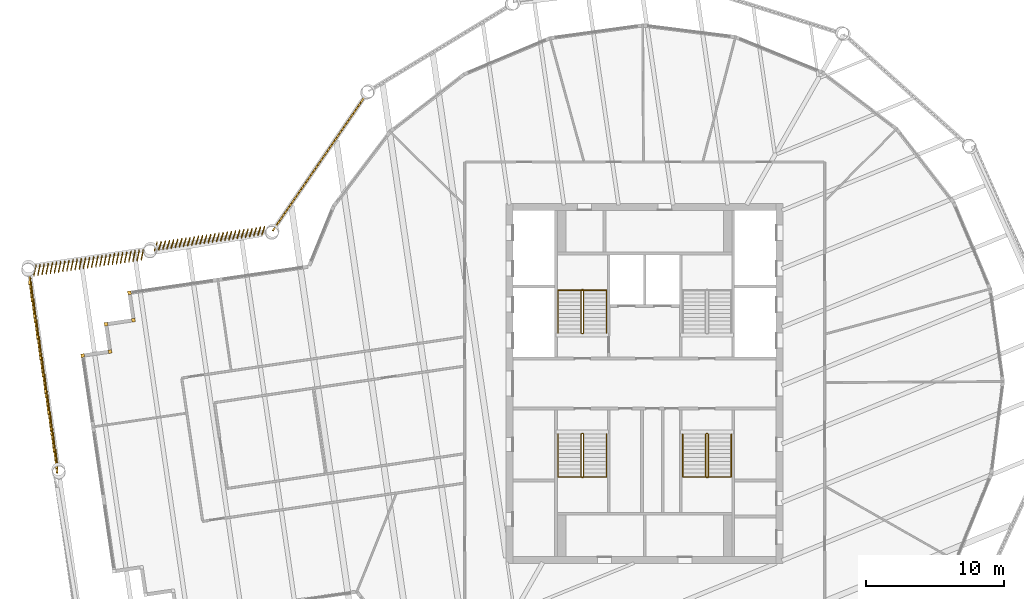
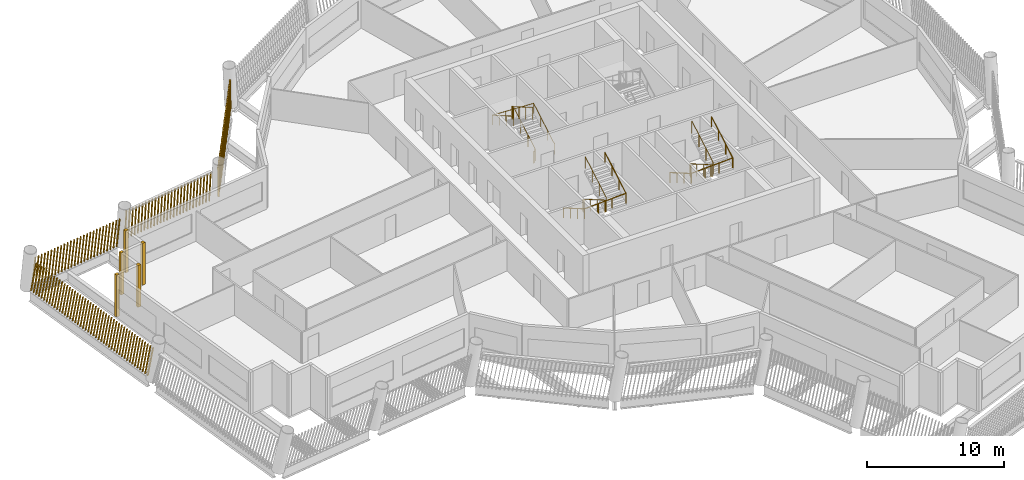
# One storey, part 12 of 15: 9 shading devices, 6 railings.
"""IFC4 building model written with IfcOpenShell, lengths in metres."""

from ifc_helpers import new_model, si_unit, direction, frame, frame_2d, origin, origin_2d, place, context, subcontext, project, spatial, rectangle, circle, composite_profile, extrude, material, type_object, element, save


model = new_model("IFC4")

# Units and contexts
model_context = context("Model", 3, precision=1e-05, world=origin(), true_north=direction((0.0, 1.0)))
body_context = subcontext(model_context, "Body", "Model", "MODEL_VIEW")
ifc_project = project(units=[si_unit("LENGTHUNIT", "METRE"), si_unit("AREAUNIT", "SQUARE_METRE"), si_unit("VOLUMEUNIT", "CUBIC_METRE"), si_unit("PLANEANGLEUNIT", "RADIAN"), si_unit("MASSUNIT", "GRAM", prefix="KILO")], contexts=[model_context])

# Site, building, storey
site_placement = place(None, origin())
site = spatial("IfcSite", under=ifc_project, at=site_placement, CompositionType="ELEMENT")
building_placement = place(site_placement, origin())
building = spatial("IfcBuilding", under=site, at=building_placement, Name="Tarsis Ring Headquarters", CompositionType="ELEMENT")
storey_placement = place(building_placement, frame((0.0, 0.0, 319.699951171875)))
storey = spatial("IfcBuildingStorey", under=building, at=storey_placement, Name="L75", CompositionType="ELEMENT", Elevation=319.699951171875)

# Railings
ifc_material_1 = material(Name="Steel S355", Category="steel")
railing_type_1 = type_object("IfcRailingType", Name="Core stair guard 1100", PredefinedType="GUARDRAIL", material=ifc_material_1)
railing_1_placement = place(storey_placement, frame((-4.5400390625, 3.610107421875, 0.0)))
element("IfcRailing", 1, at=railing_1_placement, inside=storey, type_object=railing_type_1, Name="L75 ST1 stair guard 1", PredefinedType="GUARDRAIL", context=body_context, shape_type="SweptSolid", body=[
    extrude(circle(Radius=0.02392578125, at=origin_2d()), frame((0.0, 0.0, 1.076171875), z_axis=(1.0, 0.0, 0.0), x_axis=(0.0, 1.0, 0.0)), (0.0, 0.0, 1.0), 0.080078125),
    extrude(circle(Radius=0.02392578125, at=origin_2d()), frame((0.080078125, 0.0, 1.076171875), z_axis=(0.282336740067, 0.280959487676, 0.917250092119), x_axis=(-0.705375805398, 0.708833529934, 0.0)), (0.0, 0.0, 1.0), 0.17724609375),
    extrude(circle(Radius=0.02392578125, at=origin_2d()), frame((0.130126953125, 0.0498046875, 1.23876953125), z_axis=(0.0, 0.864920483161, 0.501908913857), x_axis=(-1.0, 0.0, 0.0)), (0.0, 0.0, 1.0), 3.56103515625),
    extrude(circle(Radius=0.02392578125, at=origin_2d()), frame((0.130126953125, 3.1298828125, 3.02587890625), z_axis=(-0.707106781187, 0.707106781187, 0.0), x_axis=(-0.707106781187, -0.707106781187, 0.0)), (0.0, 0.0, 1.0), 0.07080078125),
    extrude(circle(Radius=0.02392578125, at=origin_2d()), frame((0.080078125, 3.179931640625, 3.02587890625), z_axis=(-1.0, 0.0, 0.0), x_axis=(0.0, -1.0, 0.0)), (0.0, 0.0, 1.0), 0.080078125),
    extrude(circle(Radius=0.02392578125, at=origin_2d()), frame((0.0, 3.179931640625, 3.02587890625), z_axis=(-0.282227285176, -0.282227285176, 0.916894497205), x_axis=(0.707106781187, -0.707106781187, 0.0)), (0.0, 0.0, 1.0), 0.17724609375),
    extrude(circle(Radius=0.02392578125, at=origin_2d()), frame((-0.050048828125, 3.1298828125, 3.1884765625), z_axis=(0.0, -0.864890721111, 0.501960198159), x_axis=(1.0, 0.0, 0.0)), (0.0, 0.0, 1.0), 3.561279296875),
    extrude(circle(Radius=0.02099609375, at=origin_2d()), origin(), (0.0, 0.0, 1.0), 1.052001953125),
    extrude(circle(Radius=0.02099609375, at=origin_2d()), frame((0.080078125, 0.0, 0.0)), (0.0, 0.0, 1.0), 1.052001953125),
    extrude(circle(Radius=0.02099609375, at=origin_2d()), frame((0.130126953125, 0.0498046875, 0.16259765625)), (0.0, 0.0, 1.0), 1.052001953125),
    extrude(circle(Radius=0.02099609375, at=origin_2d()), frame((0.130126953125, 1.076416015625, 0.75830078125)), (0.0, 0.0, 1.0), 1.052001953125),
    extrude(circle(Radius=0.02099609375, at=origin_2d()), frame((0.130126953125, 2.103271484375, 1.354248046875)), (0.0, 0.0, 1.0), 1.052001953125),
    extrude(circle(Radius=0.02099609375, at=origin_2d()), frame((0.130126953125, 3.1298828125, 1.949951171875)), (0.0, 0.0, 1.0), 1.052001953125),
    extrude(circle(Radius=0.02099609375, at=origin_2d()), frame((0.080078125, 3.179931640625, 1.949951171875)), (0.0, 0.0, 1.0), 1.052001953125),
    extrude(circle(Radius=0.02099609375, at=origin_2d()), frame((0.0, 3.179931640625, 1.949951171875)), (0.0, 0.0, 1.0), 1.052001953125),
    extrude(circle(Radius=0.02099609375, at=origin_2d()), frame((-0.050048828125, 3.1298828125, 2.112548828125)), (0.0, 0.0, 1.0), 1.052001953125),
    extrude(circle(Radius=0.02099609375, at=origin_2d()), frame((-0.050048828125, 2.103271484375, 2.70849609375)), (0.0, 0.0, 1.0), 1.052001953125),
    extrude(circle(Radius=0.02099609375, at=origin_2d()), frame((-0.050048828125, 1.076416015625, 3.30419921875)), (0.0, 0.0, 1.0), 1.052001953125),
    extrude(circle(Radius=0.02099609375, at=origin_2d()), frame((-0.050048828125, 0.0498046875, 3.900146484375)), (0.0, 0.0, 1.0), 1.052001953125),
])
railing_2_placement = place(storey_placement, frame((-4.4599609375, -3.610107421875, 0.0)))
element("IfcRailing", 2, at=railing_2_placement, inside=storey, type_object=railing_type_1, Name="L75 ST3 stair guard 1", PredefinedType="GUARDRAIL", context=body_context, shape_type="SweptSolid", body=[
    extrude(circle(Radius=0.02392578125, at=origin_2d()), frame((0.0, 0.0, 1.076171875), z_axis=(-1.0, 0.0, 0.0), x_axis=(0.0, -1.0, 0.0)), (0.0, 0.0, 1.0), 0.080078125),
    extrude(circle(Radius=0.02392578125, at=origin_2d()), frame((-0.080078125, 0.0, 1.076171875), z_axis=(-0.282336740067, -0.280959487676, 0.917250092119), x_axis=(0.705375805398, -0.708833529934, 0.0)), (0.0, 0.0, 1.0), 0.17724609375),
    extrude(circle(Radius=0.02392578125, at=origin_2d()), frame((-0.130126953125, -0.0498046875, 1.23876953125), z_axis=(0.0, -0.864920483161, 0.501908913857), x_axis=(1.0, 0.0, 0.0)), (0.0, 0.0, 1.0), 3.56103515625),
    extrude(circle(Radius=0.02392578125, at=origin_2d()), frame((-0.130126953125, -3.1298828125, 3.02587890625), z_axis=(0.707106781187, -0.707106781187, 0.0), x_axis=(0.707106781187, 0.707106781187, 0.0)), (0.0, 0.0, 1.0), 0.07080078125),
    extrude(circle(Radius=0.02392578125, at=origin_2d()), frame((-0.080078125, -3.179931640625, 3.02587890625), z_axis=(1.0, 0.0, 0.0), x_axis=(0.0, 1.0, 0.0)), (0.0, 0.0, 1.0), 0.080078125),
    extrude(circle(Radius=0.02392578125, at=origin_2d()), frame((0.0, -3.179931640625, 3.02587890625), z_axis=(0.282227285176, 0.282227285176, 0.916894497205), x_axis=(-0.707106781187, 0.707106781187, 0.0)), (0.0, 0.0, 1.0), 0.17724609375),
    extrude(circle(Radius=0.02392578125, at=origin_2d()), frame((0.050048828125, -3.1298828125, 3.1884765625), z_axis=(0.0, 0.864890721111, 0.501960198159), x_axis=(-1.0, 0.0, 0.0)), (0.0, 0.0, 1.0), 3.561279296875),
    extrude(circle(Radius=0.02099609375, at=origin_2d()), origin(), (0.0, 0.0, 1.0), 1.052001953125),
    extrude(circle(Radius=0.02099609375, at=origin_2d()), frame((-0.080078125, 0.0, 0.0)), (0.0, 0.0, 1.0), 1.052001953125),
    extrude(circle(Radius=0.02099609375, at=origin_2d()), frame((-0.130126953125, -0.0498046875, 0.16259765625)), (0.0, 0.0, 1.0), 1.052001953125),
    extrude(circle(Radius=0.02099609375, at=origin_2d()), frame((-0.130126953125, -1.076416015625, 0.75830078125)), (0.0, 0.0, 1.0), 1.052001953125),
    extrude(circle(Radius=0.02099609375, at=origin_2d()), frame((-0.130126953125, -2.103271484375, 1.354248046875)), (0.0, 0.0, 1.0), 1.052001953125),
    extrude(circle(Radius=0.02099609375, at=origin_2d()), frame((-0.130126953125, -3.1298828125, 1.949951171875)), (0.0, 0.0, 1.0), 1.052001953125),
    extrude(circle(Radius=0.02099609375, at=origin_2d()), frame((-0.080078125, -3.179931640625, 1.949951171875)), (0.0, 0.0, 1.0), 1.052001953125),
    extrude(circle(Radius=0.02099609375, at=origin_2d()), frame((0.0, -3.179931640625, 1.949951171875)), (0.0, 0.0, 1.0), 1.052001953125),
    extrude(circle(Radius=0.02099609375, at=origin_2d()), frame((0.050048828125, -3.1298828125, 2.112548828125)), (0.0, 0.0, 1.0), 1.052001953125),
    extrude(circle(Radius=0.02099609375, at=origin_2d()), frame((0.050048828125, -2.103271484375, 2.70849609375)), (0.0, 0.0, 1.0), 1.052001953125),
    extrude(circle(Radius=0.02099609375, at=origin_2d()), frame((0.050048828125, -1.076416015625, 3.30419921875)), (0.0, 0.0, 1.0), 1.052001953125),
    extrude(circle(Radius=0.02099609375, at=origin_2d()), frame((0.050048828125, -0.0498046875, 3.900146484375)), (0.0, 0.0, 1.0), 1.052001953125),
])
railing_3_placement = place(storey_placement, frame((4.5400390625, -3.610107421875, 0.0)))
element("IfcRailing", 3, at=railing_3_placement, inside=storey, type_object=railing_type_1, Name="L75 ST4 stair guard 1", PredefinedType="GUARDRAIL", context=body_context, shape_type="SweptSolid", body=[
    extrude(circle(Radius=0.02392578125, at=origin_2d()), frame((0.0, 0.0, 1.076171875), z_axis=(-1.0, 0.0, 0.0), x_axis=(0.0, -1.0, 0.0)), (0.0, 0.0, 1.0), 0.080078125),
    extrude(circle(Radius=0.02392578125, at=origin_2d()), frame((-0.080078125, 0.0, 1.076171875), z_axis=(-0.282336740067, -0.280959487676, 0.917250092119), x_axis=(0.705375805398, -0.708833529934, 0.0)), (0.0, 0.0, 1.0), 0.17724609375),
    extrude(circle(Radius=0.02392578125, at=origin_2d()), frame((-0.130126953125, -0.0498046875, 1.23876953125), z_axis=(0.0, -0.864920483161, 0.501908913857), x_axis=(1.0, 0.0, 0.0)), (0.0, 0.0, 1.0), 3.56103515625),
    extrude(circle(Radius=0.02392578125, at=origin_2d()), frame((-0.130126953125, -3.1298828125, 3.02587890625), z_axis=(0.707106781187, -0.707106781187, 0.0), x_axis=(0.707106781187, 0.707106781187, 0.0)), (0.0, 0.0, 1.0), 0.07080078125),
    extrude(circle(Radius=0.02392578125, at=origin_2d()), frame((-0.080078125, -3.179931640625, 3.02587890625), z_axis=(1.0, 0.0, 0.0), x_axis=(0.0, 1.0, 0.0)), (0.0, 0.0, 1.0), 0.080078125),
    extrude(circle(Radius=0.02392578125, at=origin_2d()), frame((0.0, -3.179931640625, 3.02587890625), z_axis=(0.282227285176, 0.282227285176, 0.916894497205), x_axis=(-0.707106781187, 0.707106781187, 0.0)), (0.0, 0.0, 1.0), 0.17724609375),
    extrude(circle(Radius=0.02392578125, at=origin_2d()), frame((0.050048828125, -3.1298828125, 3.1884765625), z_axis=(0.0, 0.864890721111, 0.501960198159), x_axis=(-1.0, 0.0, 0.0)), (0.0, 0.0, 1.0), 3.561279296875),
    extrude(circle(Radius=0.02099609375, at=origin_2d()), origin(), (0.0, 0.0, 1.0), 1.052001953125),
    extrude(circle(Radius=0.02099609375, at=origin_2d()), frame((-0.080078125, 0.0, 0.0)), (0.0, 0.0, 1.0), 1.052001953125),
    extrude(circle(Radius=0.02099609375, at=origin_2d()), frame((-0.130126953125, -0.0498046875, 0.16259765625)), (0.0, 0.0, 1.0), 1.052001953125),
    extrude(circle(Radius=0.02099609375, at=origin_2d()), frame((-0.130126953125, -1.076416015625, 0.75830078125)), (0.0, 0.0, 1.0), 1.052001953125),
    extrude(circle(Radius=0.02099609375, at=origin_2d()), frame((-0.130126953125, -2.103271484375, 1.354248046875)), (0.0, 0.0, 1.0), 1.052001953125),
    extrude(circle(Radius=0.02099609375, at=origin_2d()), frame((-0.130126953125, -3.1298828125, 1.949951171875)), (0.0, 0.0, 1.0), 1.052001953125),
    extrude(circle(Radius=0.02099609375, at=origin_2d()), frame((-0.080078125, -3.179931640625, 1.949951171875)), (0.0, 0.0, 1.0), 1.052001953125),
    extrude(circle(Radius=0.02099609375, at=origin_2d()), frame((0.0, -3.179931640625, 1.949951171875)), (0.0, 0.0, 1.0), 1.052001953125),
    extrude(circle(Radius=0.02099609375, at=origin_2d()), frame((0.050048828125, -3.1298828125, 2.112548828125)), (0.0, 0.0, 1.0), 1.052001953125),
    extrude(circle(Radius=0.02099609375, at=origin_2d()), frame((0.050048828125, -2.103271484375, 2.70849609375)), (0.0, 0.0, 1.0), 1.052001953125),
    extrude(circle(Radius=0.02099609375, at=origin_2d()), frame((0.050048828125, -1.076416015625, 3.30419921875)), (0.0, 0.0, 1.0), 1.052001953125),
    extrude(circle(Radius=0.02099609375, at=origin_2d()), frame((0.050048828125, -0.0498046875, 3.900146484375)), (0.0, 0.0, 1.0), 1.052001953125),
])
railing_type_2 = type_object("IfcRailingType", Name="Core stair handrail 900", PredefinedType="HANDRAIL", material=ifc_material_1)
railing_4_placement = place(storey_placement, frame((-2.75, 3.659912109375, 0.16259765625)))
element("IfcRailing", 4, at=railing_4_placement, inside=storey, type_object=railing_type_2, Name="L75 ST1 stair handrail 1", PredefinedType="HANDRAIL", context=body_context, shape_type="SweptSolid", body=[
    extrude(circle(Radius=0.02392578125, at=origin_2d()), frame((0.0, 0.0, 0.8759765625), z_axis=(0.0, 0.864920483161, 0.501908913857), x_axis=(-1.0, 0.0, 0.0)), (0.0, 0.0, 1.0), 3.56103515625),
    extrude(circle(Radius=0.02392578125, at=origin_2d()), frame((0.0, 3.080078125, 2.6630859375), z_axis=(-0.998922641604, 0.0, 0.046406422943), x_axis=(0.0, -1.0, 0.0)), (0.0, 0.0, 1.0), 3.503662109375),
    extrude(circle(Radius=0.02392578125, at=origin_2d()), frame((-3.5, 3.080078125, 2.82568359375), z_axis=(0.0, -0.864890721111, 0.501960198159), x_axis=(1.0, 0.0, 0.0)), (0.0, 0.0, 1.0), 3.561279296875),
    extrude(circle(Radius=0.02099609375, at=origin_2d()), origin(), (0.0, 0.0, 1.0), 0.851806640625),
    extrude(circle(Radius=0.02099609375, at=origin_2d()), frame((0.0, 1.026611328125, 0.595703125)), (0.0, 0.0, 1.0), 0.851806640625),
    extrude(circle(Radius=0.02099609375, at=origin_2d()), frame((0.0, 2.053466796875, 1.191650390625)), (0.0, 0.0, 1.0), 0.851806640625),
    extrude(circle(Radius=0.02099609375, at=origin_2d()), frame((0.0, 3.080078125, 1.787353515625)), (0.0, 0.0, 1.0), 0.851806640625),
    extrude(circle(Radius=0.02099609375, at=origin_2d()), frame((-1.166748046875, 3.080078125, 1.841552734375)), (0.0, 0.0, 1.0), 0.851806640625),
    extrude(circle(Radius=0.02099609375, at=origin_2d()), frame((-2.333251953125, 3.080078125, 1.895751953125)), (0.0, 0.0, 1.0), 0.851806640625),
    extrude(circle(Radius=0.02099609375, at=origin_2d()), frame((-3.5, 3.080078125, 1.949951171875)), (0.0, 0.0, 1.0), 0.851806640625),
    extrude(circle(Radius=0.02099609375, at=origin_2d()), frame((-3.5, 2.053466796875, 2.5458984375)), (0.0, 0.0, 1.0), 0.851806640625),
    extrude(circle(Radius=0.02099609375, at=origin_2d()), frame((-3.5, 1.026611328125, 3.1416015625)), (0.0, 0.0, 1.0), 0.851806640625),
    extrude(circle(Radius=0.02099609375, at=origin_2d()), frame((-3.5, 0.0, 3.737548828125)), (0.0, 0.0, 1.0), 0.851806640625),
])
railing_5_placement = place(storey_placement, frame((-6.25, -3.659912109375, 0.16259765625)))
element("IfcRailing", 5, at=railing_5_placement, inside=storey, type_object=railing_type_2, Name="L75 ST3 stair handrail 1", PredefinedType="HANDRAIL", context=body_context, shape_type="SweptSolid", body=[
    extrude(circle(Radius=0.02392578125, at=origin_2d()), frame((0.0, 0.0, 0.8759765625), z_axis=(0.0, -0.864920483161, 0.501908913857), x_axis=(1.0, 0.0, 0.0)), (0.0, 0.0, 1.0), 3.56103515625),
    extrude(circle(Radius=0.02392578125, at=origin_2d()), frame((0.0, -3.080078125, 2.6630859375), z_axis=(0.998922641604, 0.0, 0.046406422943), x_axis=(0.0, 1.0, 0.0)), (0.0, 0.0, 1.0), 3.503662109375),
    extrude(circle(Radius=0.02392578125, at=origin_2d()), frame((3.5, -3.080078125, 2.82568359375), z_axis=(0.0, 0.864890721111, 0.501960198159), x_axis=(-1.0, 0.0, 0.0)), (0.0, 0.0, 1.0), 3.561279296875),
    extrude(circle(Radius=0.02099609375, at=origin_2d()), origin(), (0.0, 0.0, 1.0), 0.851806640625),
    extrude(circle(Radius=0.02099609375, at=origin_2d()), frame((0.0, -1.026611328125, 0.595703125)), (0.0, 0.0, 1.0), 0.851806640625),
    extrude(circle(Radius=0.02099609375, at=origin_2d()), frame((0.0, -2.053466796875, 1.191650390625)), (0.0, 0.0, 1.0), 0.851806640625),
    extrude(circle(Radius=0.02099609375, at=origin_2d()), frame((0.0, -3.080078125, 1.787353515625)), (0.0, 0.0, 1.0), 0.851806640625),
    extrude(circle(Radius=0.02099609375, at=origin_2d()), frame((1.166748046875, -3.080078125, 1.841552734375)), (0.0, 0.0, 1.0), 0.851806640625),
    extrude(circle(Radius=0.02099609375, at=origin_2d()), frame((2.333251953125, -3.080078125, 1.895751953125)), (0.0, 0.0, 1.0), 0.851806640625),
    extrude(circle(Radius=0.02099609375, at=origin_2d()), frame((3.5, -3.080078125, 1.949951171875)), (0.0, 0.0, 1.0), 0.851806640625),
    extrude(circle(Radius=0.02099609375, at=origin_2d()), frame((3.5, -2.053466796875, 2.5458984375)), (0.0, 0.0, 1.0), 0.851806640625),
    extrude(circle(Radius=0.02099609375, at=origin_2d()), frame((3.5, -1.026611328125, 3.1416015625)), (0.0, 0.0, 1.0), 0.851806640625),
    extrude(circle(Radius=0.02099609375, at=origin_2d()), frame((3.5, 0.0, 3.737548828125)), (0.0, 0.0, 1.0), 0.851806640625),
])
railing_6_placement = place(storey_placement, frame((2.75, -3.659912109375, 0.16259765625)))
element("IfcRailing", 6, at=railing_6_placement, inside=storey, type_object=railing_type_2, Name="L75 ST4 stair handrail 1", PredefinedType="HANDRAIL", context=body_context, shape_type="SweptSolid", body=[
    extrude(circle(Radius=0.02392578125, at=origin_2d()), frame((0.0, 0.0, 0.8759765625), z_axis=(0.0, -0.864920483161, 0.501908913857), x_axis=(1.0, 0.0, 0.0)), (0.0, 0.0, 1.0), 3.56103515625),
    extrude(circle(Radius=0.02392578125, at=origin_2d()), frame((0.0, -3.080078125, 2.6630859375), z_axis=(0.998922641604, 0.0, 0.046406422943), x_axis=(0.0, 1.0, 0.0)), (0.0, 0.0, 1.0), 3.503662109375),
    extrude(circle(Radius=0.02392578125, at=origin_2d()), frame((3.5, -3.080078125, 2.82568359375), z_axis=(0.0, 0.864890721111, 0.501960198159), x_axis=(-1.0, 0.0, 0.0)), (0.0, 0.0, 1.0), 3.561279296875),
    extrude(circle(Radius=0.02099609375, at=origin_2d()), origin(), (0.0, 0.0, 1.0), 0.851806640625),
    extrude(circle(Radius=0.02099609375, at=origin_2d()), frame((0.0, -1.026611328125, 0.595703125)), (0.0, 0.0, 1.0), 0.851806640625),
    extrude(circle(Radius=0.02099609375, at=origin_2d()), frame((0.0, -2.053466796875, 1.191650390625)), (0.0, 0.0, 1.0), 0.851806640625),
    extrude(circle(Radius=0.02099609375, at=origin_2d()), frame((0.0, -3.080078125, 1.787353515625)), (0.0, 0.0, 1.0), 0.851806640625),
    extrude(circle(Radius=0.02099609375, at=origin_2d()), frame((1.166748046875, -3.080078125, 1.841552734375)), (0.0, 0.0, 1.0), 0.851806640625),
    extrude(circle(Radius=0.02099609375, at=origin_2d()), frame((2.333251953125, -3.080078125, 1.895751953125)), (0.0, 0.0, 1.0), 0.851806640625),
    extrude(circle(Radius=0.02099609375, at=origin_2d()), frame((3.5, -3.080078125, 1.949951171875)), (0.0, 0.0, 1.0), 0.851806640625),
    extrude(circle(Radius=0.02099609375, at=origin_2d()), frame((3.5, -2.053466796875, 2.5458984375)), (0.0, 0.0, 1.0), 0.851806640625),
    extrude(circle(Radius=0.02099609375, at=origin_2d()), frame((3.5, -1.026611328125, 3.1416015625)), (0.0, 0.0, 1.0), 0.851806640625),
    extrude(circle(Radius=0.02099609375, at=origin_2d()), frame((3.5, 0.0, 3.737548828125)), (0.0, 0.0, 1.0), 0.851806640625),
])

# Shading devices
ifc_material_2 = material(Name="Terracotta baguette", Category="masonry")
shading_device_type_1 = type_object("IfcShadingDeviceType", Name="Terracotta baguette screen", PredefinedType="USERDEFINED", material=ifc_material_2)
shading_device_1_placement = place(storey_placement, frame((-20.22265625, 20.712158203125, 0.0), z_axis=(0.0, 0.0, 1.0), x_axis=(-0.566129872385, -0.824312006251, 0.0)))
element("IfcShadingDevice", 7, at=shading_device_1_placement, inside=storey, type_object=shading_device_type_1, Name="Baguette screen L75-14", ObjectType="Terracotta baguette screen", PredefinedType="USERDEFINED", context=body_context, shape_type="SweptSolid", body=[
    extrude(composite_profile([rectangle(XDim=0.06005859375, YDim=0.1201171875, at=frame_2d((0.030029296875, 0.0))), rectangle(XDim=0.06005859375, YDim=0.1201171875, at=frame_2d((0.33251953125, 0.0))), rectangle(XDim=0.06005859375, YDim=0.1201171875, at=frame_2d((0.634765625, 0.0))), rectangle(XDim=0.06005859375, YDim=0.1201171875, at=frame_2d((0.937255859375, 0.0))), rectangle(XDim=0.06005859375, YDim=0.1201171875, at=frame_2d((1.239501953125, 0.0))), rectangle(XDim=0.06005859375, YDim=0.1201171875, at=frame_2d((1.5419921875, 0.0))), rectangle(XDim=0.06005859375, YDim=0.1201171875, at=frame_2d((1.844482421875, 0.0))), rectangle(XDim=0.06005859375, YDim=0.1201171875, at=frame_2d((2.146728515625, 0.0))), rectangle(XDim=0.06005859375, YDim=0.1201171875, at=frame_2d((2.44921875, 0.0))), rectangle(XDim=0.06005859375, YDim=0.1201171875, at=frame_2d((2.751708984375, 0.0))), rectangle(XDim=0.06005859375, YDim=0.1201171875, at=frame_2d((3.053955078125, 0.0))), rectangle(XDim=0.06005859375, YDim=0.1201171875, at=frame_2d((3.3564453125, 0.0))), rectangle(XDim=0.06005859375, YDim=0.1201171875, at=frame_2d((3.65869140625, 0.0))), rectangle(XDim=0.06005859375, YDim=0.1201171875, at=frame_2d((3.961181640625, 0.0))), rectangle(XDim=0.06005859375, YDim=0.1201171875, at=frame_2d((4.263671875, 0.0))), rectangle(XDim=0.06005859375, YDim=0.1201171875, at=frame_2d((4.56591796875, 0.0))), rectangle(XDim=0.06005859375, YDim=0.1201171875, at=frame_2d((4.868408203125, 0.0))), rectangle(XDim=0.06005859375, YDim=0.1201171875, at=frame_2d((5.1708984375, 0.0))), rectangle(XDim=0.06005859375, YDim=0.1201171875, at=frame_2d((5.47314453125, 0.0))), rectangle(XDim=0.06005859375, YDim=0.1201171875, at=frame_2d((5.775634765625, 0.0))), rectangle(XDim=0.06005859375, YDim=0.1201171875, at=frame_2d((6.077880859375, 0.0))), rectangle(XDim=0.06005859375, YDim=0.1201171875, at=frame_2d((6.38037109375, 0.0))), rectangle(XDim=0.06005859375, YDim=0.1201171875, at=frame_2d((6.682861328125, 0.0))), rectangle(XDim=0.06005859375, YDim=0.1201171875, at=frame_2d((6.985107421875, 0.0))), rectangle(XDim=0.06005859375, YDim=0.1201171875, at=frame_2d((7.28759765625, 0.0))), rectangle(XDim=0.06005859375, YDim=0.1201171875, at=frame_2d((7.590087890625, 0.0))), rectangle(XDim=0.06005859375, YDim=0.1201171875, at=frame_2d((7.892333984375, 0.0))), rectangle(XDim=0.06005859375, YDim=0.1201171875, at=frame_2d((8.19482421875, 0.0))), rectangle(XDim=0.06005859375, YDim=0.1201171875, at=frame_2d((8.4970703125, 0.0))), rectangle(XDim=0.06005859375, YDim=0.1201171875, at=frame_2d((8.799560546875, 0.0))), rectangle(XDim=0.06005859375, YDim=0.1201171875, at=frame_2d((9.10205078125, 0.0))), rectangle(XDim=0.06005859375, YDim=0.1201171875, at=frame_2d((9.404296875, 0.0))), rectangle(XDim=0.06005859375, YDim=0.1201171875, at=frame_2d((9.706787109375, 0.0))), rectangle(XDim=0.06005859375, YDim=0.1201171875, at=frame_2d((10.00927734375, 0.0))), rectangle(XDim=0.06005859375, YDim=0.1201171875, at=frame_2d((10.3115234375, 0.0))), rectangle(XDim=0.06005859375, YDim=0.1201171875, at=frame_2d((10.614013671875, 0.0))), rectangle(XDim=0.06005859375, YDim=0.1201171875, at=frame_2d((10.916259765625, 0.0))), rectangle(XDim=0.06005859375, YDim=0.1201171875, at=frame_2d((11.21875, 0.0)))]), origin(), (0.171100884472, 0.001551879723, 0.985252292056), 3.01220703125),
])
shading_device_2_placement = place(storey_placement, frame((-27.423095703125, 11.325927734375, 0.0), z_axis=(0.0, 0.0, 1.0), x_axis=(-0.989464903609, -0.144679930796, 0.0)))
element("IfcShadingDevice", 8, at=shading_device_2_placement, inside=storey, type_object=shading_device_type_1, Name="Baguette screen L75-15", ObjectType="Terracotta baguette screen", PredefinedType="USERDEFINED", context=body_context, shape_type="SweptSolid", body=[
    extrude(composite_profile([rectangle(XDim=0.06005859375, YDim=0.1201171875, at=frame_2d((0.030029296875, 0.0))), rectangle(XDim=0.06005859375, YDim=0.1201171875, at=frame_2d((0.33154296875, 0.0))), rectangle(XDim=0.06005859375, YDim=0.1201171875, at=frame_2d((0.63330078125, 0.0))), rectangle(XDim=0.06005859375, YDim=0.1201171875, at=frame_2d((0.934814453125, 0.0))), rectangle(XDim=0.06005859375, YDim=0.1201171875, at=frame_2d((1.236572265625, 0.0))), rectangle(XDim=0.06005859375, YDim=0.1201171875, at=frame_2d((1.5380859375, 0.0))), rectangle(XDim=0.06005859375, YDim=0.1201171875, at=frame_2d((1.83984375, 0.0))), rectangle(XDim=0.06005859375, YDim=0.1201171875, at=frame_2d((2.141357421875, 0.0))), rectangle(XDim=0.06005859375, YDim=0.1201171875, at=frame_2d((2.443115234375, 0.0))), rectangle(XDim=0.06005859375, YDim=0.1201171875, at=frame_2d((2.74462890625, 0.0))), rectangle(XDim=0.06005859375, YDim=0.1201171875, at=frame_2d((3.04638671875, 0.0))), rectangle(XDim=0.06005859375, YDim=0.1201171875, at=frame_2d((3.347900390625, 0.0))), rectangle(XDim=0.06005859375, YDim=0.1201171875, at=frame_2d((3.649658203125, 0.0))), rectangle(XDim=0.06005859375, YDim=0.1201171875, at=frame_2d((3.951171875, 0.0))), rectangle(XDim=0.06005859375, YDim=0.1201171875, at=frame_2d((4.252685546875, 0.0))), rectangle(XDim=0.06005859375, YDim=0.1201171875, at=frame_2d((4.554443359375, 0.0))), rectangle(XDim=0.06005859375, YDim=0.1201171875, at=frame_2d((4.85595703125, 0.0))), rectangle(XDim=0.06005859375, YDim=0.1201171875, at=frame_2d((5.15771484375, 0.0))), rectangle(XDim=0.06005859375, YDim=0.1201171875, at=frame_2d((5.459228515625, 0.0))), rectangle(XDim=0.06005859375, YDim=0.1201171875, at=frame_2d((5.760986328125, 0.0))), rectangle(XDim=0.06005859375, YDim=0.1201171875, at=frame_2d((6.0625, 0.0))), rectangle(XDim=0.06005859375, YDim=0.1201171875, at=frame_2d((6.3642578125, 0.0))), rectangle(XDim=0.06005859375, YDim=0.1201171875, at=frame_2d((6.665771484375, 0.0))), rectangle(XDim=0.06005859375, YDim=0.1201171875, at=frame_2d((6.967529296875, 0.0))), rectangle(XDim=0.06005859375, YDim=0.1201171875, at=frame_2d((7.26904296875, 0.0))), rectangle(XDim=0.06005859375, YDim=0.1201171875, at=frame_2d((7.57080078125, 0.0))), rectangle(XDim=0.06005859375, YDim=0.1201171875, at=frame_2d((7.872314453125, 0.0)))]), origin(), (0.08935312167, 0.177329648052, 0.980086840831), 3.028076171875),
])
shading_device_3_placement = place(storey_placement, frame((-36.17724609375, 9.666748046875, 0.0), z_axis=(0.0, 0.0, 1.0), x_axis=(-0.989464903609, -0.144679930796, 0.0)))
element("IfcShadingDevice", 9, at=shading_device_3_placement, inside=storey, type_object=shading_device_type_1, Name="Baguette screen L75-16", ObjectType="Terracotta baguette screen", PredefinedType="USERDEFINED", context=body_context, shape_type="SweptSolid", body=[
    extrude(composite_profile([rectangle(XDim=0.06005859375, YDim=0.1201171875, at=frame_2d((0.030029296875, 0.0))), rectangle(XDim=0.06005859375, YDim=0.1201171875, at=frame_2d((0.33154296875, 0.0))), rectangle(XDim=0.06005859375, YDim=0.1201171875, at=frame_2d((0.63330078125, 0.0))), rectangle(XDim=0.06005859375, YDim=0.1201171875, at=frame_2d((0.934814453125, 0.0))), rectangle(XDim=0.06005859375, YDim=0.1201171875, at=frame_2d((1.236572265625, 0.0))), rectangle(XDim=0.06005859375, YDim=0.1201171875, at=frame_2d((1.5380859375, 0.0))), rectangle(XDim=0.06005859375, YDim=0.1201171875, at=frame_2d((1.83984375, 0.0))), rectangle(XDim=0.06005859375, YDim=0.1201171875, at=frame_2d((2.141357421875, 0.0))), rectangle(XDim=0.06005859375, YDim=0.1201171875, at=frame_2d((2.443115234375, 0.0))), rectangle(XDim=0.06005859375, YDim=0.1201171875, at=frame_2d((2.74462890625, 0.0))), rectangle(XDim=0.06005859375, YDim=0.1201171875, at=frame_2d((3.04638671875, 0.0))), rectangle(XDim=0.06005859375, YDim=0.1201171875, at=frame_2d((3.347900390625, 0.0))), rectangle(XDim=0.06005859375, YDim=0.1201171875, at=frame_2d((3.649658203125, 0.0))), rectangle(XDim=0.06005859375, YDim=0.1201171875, at=frame_2d((3.951171875, 0.0))), rectangle(XDim=0.06005859375, YDim=0.1201171875, at=frame_2d((4.252685546875, 0.0))), rectangle(XDim=0.06005859375, YDim=0.1201171875, at=frame_2d((4.554443359375, 0.0))), rectangle(XDim=0.06005859375, YDim=0.1201171875, at=frame_2d((4.85595703125, 0.0))), rectangle(XDim=0.06005859375, YDim=0.1201171875, at=frame_2d((5.15771484375, 0.0))), rectangle(XDim=0.06005859375, YDim=0.1201171875, at=frame_2d((5.459228515625, 0.0))), rectangle(XDim=0.06005859375, YDim=0.1201171875, at=frame_2d((5.760986328125, 0.0))), rectangle(XDim=0.06005859375, YDim=0.1201171875, at=frame_2d((6.0625, 0.0))), rectangle(XDim=0.06005859375, YDim=0.1201171875, at=frame_2d((6.3642578125, 0.0))), rectangle(XDim=0.06005859375, YDim=0.1201171875, at=frame_2d((6.665771484375, 0.0))), rectangle(XDim=0.06005859375, YDim=0.1201171875, at=frame_2d((6.967529296875, 0.0))), rectangle(XDim=0.06005859375, YDim=0.1201171875, at=frame_2d((7.26904296875, 0.0))), rectangle(XDim=0.06005859375, YDim=0.1201171875, at=frame_2d((7.57080078125, 0.0))), rectangle(XDim=0.06005859375, YDim=0.1201171875, at=frame_2d((7.872314453125, 0.0)))]), origin(), (0.085712658965, 0.228252808438, 0.969821630782), 3.06005859375),
])
shading_device_4_placement = place(storey_placement, frame((-44.418701171875, 7.956298828125, 0.0), z_axis=(0.0, 0.0, 1.0), x_axis=(0.144697036709, -0.989473684211, 0.0)))
element("IfcShadingDevice", 10, at=shading_device_4_placement, inside=storey, type_object=shading_device_type_1, Name="Baguette screen L75-17", ObjectType="Terracotta baguette screen", PredefinedType="USERDEFINED", context=body_context, shape_type="SweptSolid", body=[
    extrude(composite_profile([rectangle(XDim=0.06005859375, YDim=0.1201171875, at=frame_2d((0.030029296875, 0.0))), rectangle(XDim=0.06005859375, YDim=0.1201171875, at=frame_2d((0.33544921875, 0.0))), rectangle(XDim=0.06005859375, YDim=0.1201171875, at=frame_2d((0.640625, 0.0))), rectangle(XDim=0.06005859375, YDim=0.1201171875, at=frame_2d((0.946044921875, 0.0))), rectangle(XDim=0.06005859375, YDim=0.1201171875, at=frame_2d((1.25146484375, 0.0))), rectangle(XDim=0.06005859375, YDim=0.1201171875, at=frame_2d((1.556640625, 0.0))), rectangle(XDim=0.06005859375, YDim=0.1201171875, at=frame_2d((1.862060546875, 0.0))), rectangle(XDim=0.06005859375, YDim=0.1201171875, at=frame_2d((2.16748046875, 0.0))), rectangle(XDim=0.06005859375, YDim=0.1201171875, at=frame_2d((2.47265625, 0.0))), rectangle(XDim=0.06005859375, YDim=0.1201171875, at=frame_2d((2.778076171875, 0.0))), rectangle(XDim=0.06005859375, YDim=0.1201171875, at=frame_2d((3.08349609375, 0.0))), rectangle(XDim=0.06005859375, YDim=0.1201171875, at=frame_2d((3.388671875, 0.0))), rectangle(XDim=0.06005859375, YDim=0.1201171875, at=frame_2d((3.694091796875, 0.0))), rectangle(XDim=0.06005859375, YDim=0.1201171875, at=frame_2d((3.99951171875, 0.0))), rectangle(XDim=0.06005859375, YDim=0.1201171875, at=frame_2d((4.3046875, 0.0))), rectangle(XDim=0.06005859375, YDim=0.1201171875, at=frame_2d((4.610107421875, 0.0))), rectangle(XDim=0.06005859375, YDim=0.1201171875, at=frame_2d((4.91552734375, 0.0))), rectangle(XDim=0.06005859375, YDim=0.1201171875, at=frame_2d((5.220703125, 0.0))), rectangle(XDim=0.06005859375, YDim=0.1201171875, at=frame_2d((5.526123046875, 0.0))), rectangle(XDim=0.06005859375, YDim=0.1201171875, at=frame_2d((5.83154296875, 0.0))), rectangle(XDim=0.06005859375, YDim=0.1201171875, at=frame_2d((6.13671875, 0.0))), rectangle(XDim=0.06005859375, YDim=0.1201171875, at=frame_2d((6.442138671875, 0.0))), rectangle(XDim=0.06005859375, YDim=0.1201171875, at=frame_2d((6.74755859375, 0.0))), rectangle(XDim=0.06005859375, YDim=0.1201171875, at=frame_2d((7.052734375, 0.0))), rectangle(XDim=0.06005859375, YDim=0.1201171875, at=frame_2d((7.358154296875, 0.0))), rectangle(XDim=0.06005859375, YDim=0.1201171875, at=frame_2d((7.66357421875, 0.0))), rectangle(XDim=0.06005859375, YDim=0.1201171875, at=frame_2d((7.96875, 0.0))), rectangle(XDim=0.06005859375, YDim=0.1201171875, at=frame_2d((8.274169921875, 0.0))), rectangle(XDim=0.06005859375, YDim=0.1201171875, at=frame_2d((8.57958984375, 0.0))), rectangle(XDim=0.06005859375, YDim=0.1201171875, at=frame_2d((8.884765625, 0.0))), rectangle(XDim=0.06005859375, YDim=0.1201171875, at=frame_2d((9.190185546875, 0.0))), rectangle(XDim=0.06005859375, YDim=0.1201171875, at=frame_2d((9.49560546875, 0.0))), rectangle(XDim=0.06005859375, YDim=0.1201171875, at=frame_2d((9.80078125, 0.0))), rectangle(XDim=0.06005859375, YDim=0.1201171875, at=frame_2d((10.106201171875, 0.0))), rectangle(XDim=0.06005859375, YDim=0.1201171875, at=frame_2d((10.41162109375, 0.0))), rectangle(XDim=0.06005859375, YDim=0.1201171875, at=frame_2d((10.716796875, 0.0))), rectangle(XDim=0.06005859375, YDim=0.1201171875, at=frame_2d((11.022216796875, 0.0))), rectangle(XDim=0.06005859375, YDim=0.1201171875, at=frame_2d((11.32763671875, 0.0))), rectangle(XDim=0.06005859375, YDim=0.1201171875, at=frame_2d((11.6328125, 0.0))), rectangle(XDim=0.06005859375, YDim=0.1201171875, at=frame_2d((11.938232421875, 0.0))), rectangle(XDim=0.06005859375, YDim=0.1201171875, at=frame_2d((12.24365234375, 0.0))), rectangle(XDim=0.06005859375, YDim=0.1201171875, at=frame_2d((12.548828125, 0.0))), rectangle(XDim=0.06005859375, YDim=0.1201171875, at=frame_2d((12.854248046875, 0.0))), rectangle(XDim=0.06005859375, YDim=0.1201171875, at=frame_2d((13.15966796875, 0.0))), rectangle(XDim=0.06005859375, YDim=0.1201171875, at=frame_2d((13.46484375, 0.0))), rectangle(XDim=0.06005859375, YDim=0.1201171875, at=frame_2d((13.770263671875, 0.0)))]), origin(), (0.253379871204, -0.041442835737, 0.966478728289), 3.07080078125),
])
shading_device_type_2 = type_object("IfcShadingDeviceType", Name="Terracotta corner baguette 250x250", PredefinedType="USERDEFINED", material=ifc_material_2)
for number, where, z_axis, x_axis, name in (
    (11, (-37.2158203125, 6.558837890625, 0.0), (0.0, 0.0, 1.0), (-0.98947534149, -0.144701584591, 0.0), "Corner baguette L75-32"),
    (12, (-36.92626953125, 4.579833984375, 0.0), (0.0, 0.0, 1.0), (0.144701411895, -0.989475366745, 0.0), "Corner baguette L75-33"),
    (13, (-38.9052734375, 4.29052734375, 0.0), (0.0, 0.0, 1.0), (-0.989475346541, -0.144701550052, 0.0), "Corner baguette L75-34"),
    (14, (-38.615966796875, 2.3115234375, 0.0), (0.0, 0.0, 1.0), (0.1447020336, -0.989475275826, 0.0), "Corner baguette L75-35"),
    (15, (-40.594970703125, 2.022216796875, 0.0), (0.0, 0.0, 1.0), (-0.989475356643, -0.144701480973, 0.0), "Corner baguette L75-36"),
):
    element("IfcShadingDevice", number, at=place(storey_placement, frame(where, z_axis=z_axis, x_axis=x_axis)), inside=storey, type_object=shading_device_type_2, Name=name, ObjectType="Terracotta corner baguette", PredefinedType="USERDEFINED", context=body_context, shape_type="SweptSolid", body=[
        extrude(rectangle(XDim=0.25, YDim=0.25, at=origin_2d()), origin(), (0.0, 0.0, 1.0), 3.739990234375),
    ])

save(model, "model.ifc")
